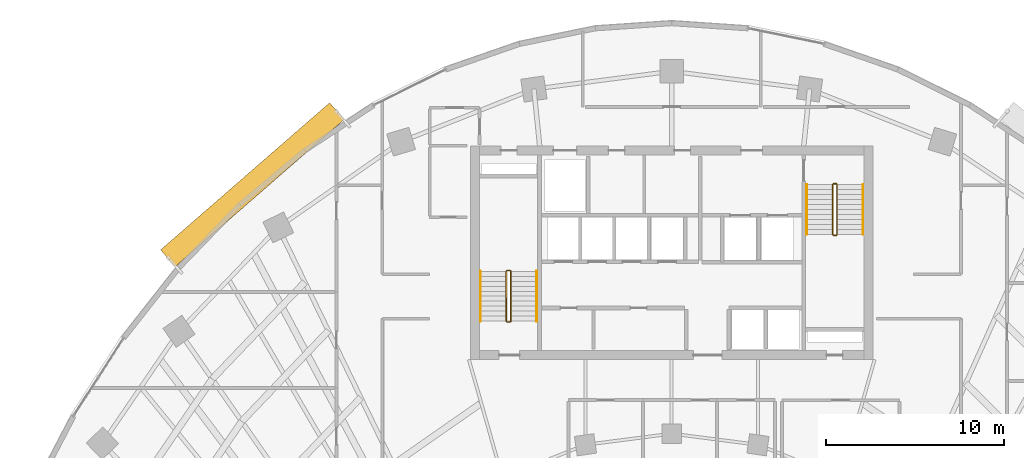
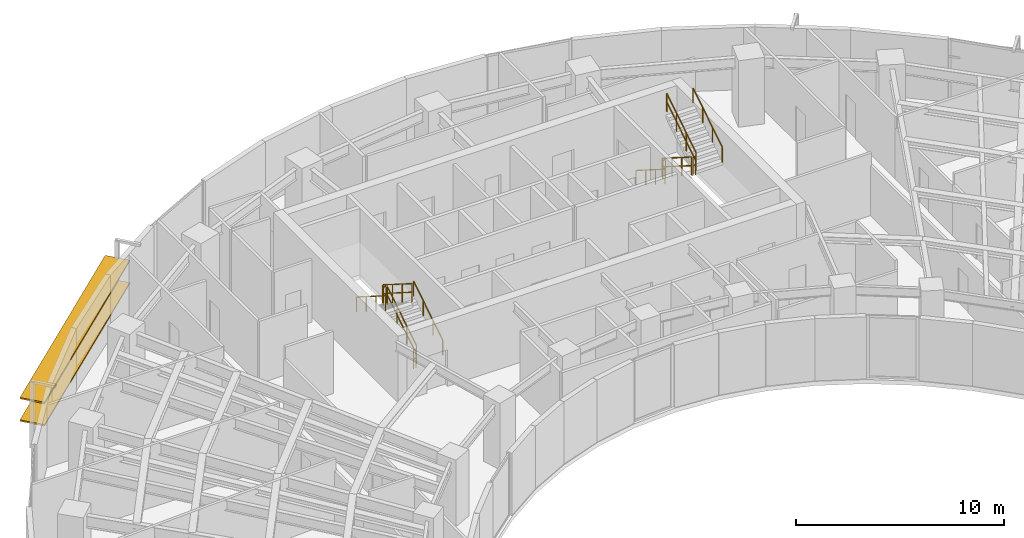
# One storey, part 13 of 14: 12 railings, 2 shading devices.
"""IFC4 building model written with IfcOpenShell, lengths in metres."""

from ifc_helpers import new_model, si_unit, direction, frame, origin, origin_2d, place, context, subcontext, project, spatial, rectangle, extrude, source, transform, mapped, material, material_profile, profile_set, type_object, element, save


model = new_model("IFC4")

# Units and contexts
model_context = context("Model", 3, precision=1e-05, world=origin(), true_north=direction((0.0, 1.0)))
body_context = subcontext(model_context, "Body", "Model", "MODEL_VIEW")
ifc_project = project(units=[si_unit("LENGTHUNIT", "METRE"), si_unit("AREAUNIT", "SQUARE_METRE"), si_unit("VOLUMEUNIT", "CUBIC_METRE"), si_unit("PLANEANGLEUNIT", "RADIAN"), si_unit("MASSUNIT", "GRAM", prefix="KILO")], contexts=[model_context])

# Site, building, storey
site_placement = place(None, origin())
site = spatial("IfcSite", under=ifc_project, at=site_placement, CompositionType="ELEMENT")
building_placement = place(site_placement, origin())
building = spatial("IfcBuilding", under=site, at=building_placement, Name="Breltana Convention Tower", CompositionType="ELEMENT")
storey_placement = place(building_placement, frame((0.0, 0.0, 103.800048828125)))
storey = spatial("IfcBuildingStorey", under=building, at=storey_placement, Name="L24", CompositionType="ELEMENT", Elevation=103.800048828125)

# Railings
ifc_material_1 = material(Name="Steel S275 Painted", Category="steel")
railing_type_1 = type_object("IfcRailingType", Name="RL-STAIR-GUARD-1100", PredefinedType="GUARDRAIL", material=ifc_material_1)
railing_1_placement = place(storey_placement, frame((38.9599609375, 62.360107421875, 0.17724609375)))
element("IfcRailing", 1, at=railing_1_placement, inside=storey, type_object=railing_type_1, Name="L24 ST-1 stair guard 1", PredefinedType="GUARDRAIL", context=body_context, shape_type="SweptSolid", body=[
    extrude(rectangle(XDim=0.048095703125, YDim=0.048095703125, at=origin_2d()), frame((0.0, 0.0, 1.076171875), z_axis=(0.0, 0.844887892834, 0.53494340686), x_axis=(-1.0, 0.0, 0.0)), (0.0, 0.0, 1.0), 3.313720703125),
    extrude(rectangle(XDim=0.048095703125, YDim=0.048095703125, at=origin_2d()), frame((0.0, 0.0, 0.572021484375), z_axis=(0.0, 0.844887892834, 0.53494340686), x_axis=(-1.0, 0.0, 0.0)), (0.0, 0.0, 1.0), 3.313720703125),
    extrude(rectangle(XDim=0.0419921875, YDim=0.0419921875, at=origin_2d()), origin(), (0.0, 0.0, 1.0), 1.052001953125),
    extrude(rectangle(XDim=0.0419921875, YDim=0.0419921875, at=origin_2d()), frame((0.0, 0.933349609375, 0.5908203125)), (0.0, 0.0, 1.0), 1.052001953125),
    extrude(rectangle(XDim=0.0419921875, YDim=0.0419921875, at=origin_2d()), frame((0.0, 1.866455078125, 1.181884765625)), (0.0, 0.0, 1.0), 1.052001953125),
    extrude(rectangle(XDim=0.0419921875, YDim=0.0419921875, at=origin_2d()), frame((0.0, 2.7998046875, 1.772705078125)), (0.0, 0.0, 1.0), 1.052001953125),
])
railing_2_placement = place(storey_placement, frame((38.909912109375, 65.2099609375, 1.949951171875)))
element("IfcRailing", 2, at=railing_2_placement, inside=storey, type_object=railing_type_1, Name="L24 ST-1 stair guard 2", PredefinedType="GUARDRAIL", context=body_context, shape_type="SweptSolid", body=[
    extrude(rectangle(XDim=0.048095703125, YDim=0.048095703125, at=origin_2d()), frame((0.0, 0.0, 1.076171875), z_axis=(-1.0, 0.0, 0.0), x_axis=(0.0, -1.0, 0.0)), (0.0, 0.0, 1.0), 0.14990234375),
    extrude(rectangle(XDim=0.048095703125, YDim=0.048095703125, at=origin_2d()), frame((0.0, 0.0, 0.572021484375), z_axis=(-1.0, 0.0, 0.0), x_axis=(0.0, -1.0, 0.0)), (0.0, 0.0, 1.0), 0.14990234375),
    extrude(rectangle(XDim=0.0419921875, YDim=0.0419921875, at=origin_2d()), origin(), (0.0, 0.0, 1.0), 1.052001953125),
    extrude(rectangle(XDim=0.0419921875, YDim=0.0419921875, at=origin_2d()), frame((-0.14990234375, 0.0, 0.0)), (0.0, 0.0, 1.0), 1.052001953125),
])
railing_3_placement = place(storey_placement, frame((38.7099609375, 65.159912109375, 2.127197265625)))
element("IfcRailing", 3, at=railing_3_placement, inside=storey, type_object=railing_type_1, Name="L24 ST-1 stair guard 3", PredefinedType="GUARDRAIL", context=body_context, shape_type="SweptSolid", body=[
    extrude(rectangle(XDim=0.048095703125, YDim=0.048095703125, at=origin_2d()), frame((0.0, 0.0, 1.076171875), z_axis=(0.0, -0.844887892834, 0.53494340686), x_axis=(1.0, 0.0, 0.0)), (0.0, 0.0, 1.0), 3.313720703125),
    extrude(rectangle(XDim=0.048095703125, YDim=0.048095703125, at=origin_2d()), frame((0.0, 0.0, 0.572021484375), z_axis=(0.0, -0.844887892834, 0.53494340686), x_axis=(1.0, 0.0, 0.0)), (0.0, 0.0, 1.0), 3.313720703125),
    extrude(rectangle(XDim=0.0419921875, YDim=0.0419921875, at=origin_2d()), origin(), (0.0, 0.0, 1.0), 1.052001953125),
    extrude(rectangle(XDim=0.0419921875, YDim=0.0419921875, at=origin_2d()), frame((0.0, -0.933349609375, 0.5908203125)), (0.0, 0.0, 1.0), 1.052001953125),
    extrude(rectangle(XDim=0.0419921875, YDim=0.0419921875, at=origin_2d()), frame((0.0, -1.866455078125, 1.181884765625)), (0.0, 0.0, 1.0), 1.052001953125),
    extrude(rectangle(XDim=0.0419921875, YDim=0.0419921875, at=origin_2d()), frame((0.0, -2.7998046875, 1.772705078125)), (0.0, 0.0, 1.0), 1.052001953125),
])
railing_4_placement = place(storey_placement, frame((38.909912109375, 62.31005859375, 0.0)))
element("IfcRailing", 4, at=railing_4_placement, inside=storey, type_object=railing_type_1, Name="L24 ST-1 stair guard 4", PredefinedType="GUARDRAIL", context=body_context, shape_type="SweptSolid", body=[
    extrude(rectangle(XDim=0.048095703125, YDim=0.048095703125, at=origin_2d()), frame((0.0, 0.0, 1.076171875), z_axis=(-1.0, 0.0, 0.0), x_axis=(0.0, -1.0, 0.0)), (0.0, 0.0, 1.0), 0.14990234375),
    extrude(rectangle(XDim=0.048095703125, YDim=0.048095703125, at=origin_2d()), frame((0.0, 0.0, 0.572021484375), z_axis=(-1.0, 0.0, 0.0), x_axis=(0.0, -1.0, 0.0)), (0.0, 0.0, 1.0), 0.14990234375),
    extrude(rectangle(XDim=0.0419921875, YDim=0.0419921875, at=origin_2d()), origin(), (0.0, 0.0, 1.0), 1.052001953125),
    extrude(rectangle(XDim=0.0419921875, YDim=0.0419921875, at=origin_2d()), frame((-0.14990234375, 0.0, 0.0)), (0.0, 0.0, 1.0), 1.052001953125),
])
railing_5_placement = place(storey_placement, frame((57.0400390625, 70.0400390625, 0.17724609375)))
element("IfcRailing", 5, at=railing_5_placement, inside=storey, type_object=railing_type_1, Name="L24 ST-2 stair guard 1", PredefinedType="GUARDRAIL", context=body_context, shape_type="SweptSolid", body=[
    extrude(rectangle(XDim=0.048095703125, YDim=0.048095703125, at=origin_2d()), frame((0.0, 0.0, 1.076171875), z_axis=(0.0, -0.844908973607, 0.534910110503), x_axis=(1.0, 0.0, 0.0)), (0.0, 0.0, 1.0), 3.31396484375),
    extrude(rectangle(XDim=0.048095703125, YDim=0.048095703125, at=origin_2d()), frame((0.0, 0.0, 0.572021484375), z_axis=(0.0, -0.844908973607, 0.534910110503), x_axis=(1.0, 0.0, 0.0)), (0.0, 0.0, 1.0), 3.31396484375),
    extrude(rectangle(XDim=0.0419921875, YDim=0.0419921875, at=origin_2d()), origin(), (0.0, 0.0, 1.0), 1.052001953125),
    extrude(rectangle(XDim=0.0419921875, YDim=0.0419921875, at=origin_2d()), frame((0.0, -0.933349609375, 0.5908203125)), (0.0, 0.0, 1.0), 1.052001953125),
    extrude(rectangle(XDim=0.0419921875, YDim=0.0419921875, at=origin_2d()), frame((0.0, -1.86669921875, 1.181884765625)), (0.0, 0.0, 1.0), 1.052001953125),
    extrude(rectangle(XDim=0.0419921875, YDim=0.0419921875, at=origin_2d()), frame((0.0, -2.800048828125, 1.772705078125)), (0.0, 0.0, 1.0), 1.052001953125),
])
railing_6_placement = place(storey_placement, frame((57.090087890625, 67.18994140625, 1.949951171875)))
element("IfcRailing", 6, at=railing_6_placement, inside=storey, type_object=railing_type_1, Name="L24 ST-2 stair guard 2", PredefinedType="GUARDRAIL", context=body_context, shape_type="SweptSolid", body=[
    extrude(rectangle(XDim=0.048095703125, YDim=0.048095703125, at=origin_2d()), frame((0.0, 0.0, 1.076171875), z_axis=(1.0, 0.0, 0.0), x_axis=(0.0, 1.0, 0.0)), (0.0, 0.0, 1.0), 0.14990234375),
    extrude(rectangle(XDim=0.048095703125, YDim=0.048095703125, at=origin_2d()), frame((0.0, 0.0, 0.572021484375), z_axis=(1.0, 0.0, 0.0), x_axis=(0.0, 1.0, 0.0)), (0.0, 0.0, 1.0), 0.14990234375),
    extrude(rectangle(XDim=0.0419921875, YDim=0.0419921875, at=origin_2d()), origin(), (0.0, 0.0, 1.0), 1.052001953125),
    extrude(rectangle(XDim=0.0419921875, YDim=0.0419921875, at=origin_2d()), frame((0.14990234375, 0.0, 0.0)), (0.0, 0.0, 1.0), 1.052001953125),
])
railing_7_placement = place(storey_placement, frame((57.2900390625, 67.239990234375, 2.127197265625)))
element("IfcRailing", 7, at=railing_7_placement, inside=storey, type_object=railing_type_1, Name="L24 ST-2 stair guard 3", PredefinedType="GUARDRAIL", context=body_context, shape_type="SweptSolid", body=[
    extrude(rectangle(XDim=0.048095703125, YDim=0.048095703125, at=origin_2d()), frame((0.0, 0.0, 1.076171875), z_axis=(0.0, 0.844908973607, 0.534910110503), x_axis=(-1.0, 0.0, 0.0)), (0.0, 0.0, 1.0), 3.31396484375),
    extrude(rectangle(XDim=0.048095703125, YDim=0.048095703125, at=origin_2d()), frame((0.0, 0.0, 0.572021484375), z_axis=(0.0, 0.844908973607, 0.534910110503), x_axis=(-1.0, 0.0, 0.0)), (0.0, 0.0, 1.0), 3.31396484375),
    extrude(rectangle(XDim=0.0419921875, YDim=0.0419921875, at=origin_2d()), origin(), (0.0, 0.0, 1.0), 1.052001953125),
    extrude(rectangle(XDim=0.0419921875, YDim=0.0419921875, at=origin_2d()), frame((0.0, 0.933349609375, 0.5908203125)), (0.0, 0.0, 1.0), 1.052001953125),
    extrude(rectangle(XDim=0.0419921875, YDim=0.0419921875, at=origin_2d()), frame((0.0, 1.86669921875, 1.181884765625)), (0.0, 0.0, 1.0), 1.052001953125),
    extrude(rectangle(XDim=0.0419921875, YDim=0.0419921875, at=origin_2d()), frame((0.0, 2.800048828125, 1.772705078125)), (0.0, 0.0, 1.0), 1.052001953125),
])
railing_8_placement = place(storey_placement, frame((57.090087890625, 70.090087890625, 0.0)))
element("IfcRailing", 8, at=railing_8_placement, inside=storey, type_object=railing_type_1, Name="L24 ST-2 stair guard 4", PredefinedType="GUARDRAIL", context=body_context, shape_type="SweptSolid", body=[
    extrude(rectangle(XDim=0.048095703125, YDim=0.048095703125, at=origin_2d()), frame((0.0, 0.0, 1.076171875), z_axis=(1.0, 0.0, 0.0), x_axis=(0.0, 1.0, 0.0)), (0.0, 0.0, 1.0), 0.14990234375),
    extrude(rectangle(XDim=0.048095703125, YDim=0.048095703125, at=origin_2d()), frame((0.0, 0.0, 0.572021484375), z_axis=(1.0, 0.0, 0.0), x_axis=(0.0, 1.0, 0.0)), (0.0, 0.0, 1.0), 0.14990234375),
    extrude(rectangle(XDim=0.0419921875, YDim=0.0419921875, at=origin_2d()), origin(), (0.0, 0.0, 1.0), 1.052001953125),
    extrude(rectangle(XDim=0.0419921875, YDim=0.0419921875, at=origin_2d()), frame((0.14990234375, 0.0, 0.0)), (0.0, 0.0, 1.0), 1.052001953125),
])
ifc_material_2 = material(Name="Stainless Steel 316L", Category="steel")
railing_type_2 = type_object("IfcRailingType", Name="RL-STAIR-HANDRAIL-900", PredefinedType="HANDRAIL", material=ifc_material_2)
railing_9_placement = place(storey_placement, frame((40.419921875, 62.360107421875, 0.17724609375)))
element("IfcRailing", 9, at=railing_9_placement, inside=storey, type_object=railing_type_2, Name="L24 ST-1 stair handrail 1", PredefinedType="HANDRAIL", context=body_context, shape_type="SweptSolid", body=[
    extrude(rectangle(XDim=0.048095703125, YDim=0.048095703125, at=origin_2d()), frame((0.0, 0.0, 0.8759765625), z_axis=(0.0, 0.844887892834, 0.53494340686), x_axis=(-1.0, 0.0, 0.0)), (0.0, 0.0, 1.0), 3.313720703125),
    extrude(rectangle(XDim=0.0419921875, YDim=0.0419921875, at=origin_2d()), origin(), (0.0, 0.0, 1.0), 0.851806640625),
    extrude(rectangle(XDim=0.0419921875, YDim=0.0419921875, at=origin_2d()), frame((0.0, 0.933349609375, 0.5908203125)), (0.0, 0.0, 1.0), 0.851806640625),
    extrude(rectangle(XDim=0.0419921875, YDim=0.0419921875, at=origin_2d()), frame((0.0, 1.866455078125, 1.181884765625)), (0.0, 0.0, 1.0), 0.851806640625),
    extrude(rectangle(XDim=0.0419921875, YDim=0.0419921875, at=origin_2d()), frame((0.0, 2.7998046875, 1.772705078125)), (0.0, 0.0, 1.0), 0.851806640625),
])
railing_10_placement = place(storey_placement, frame((37.25, 65.159912109375, 2.127197265625)))
element("IfcRailing", 10, at=railing_10_placement, inside=storey, type_object=railing_type_2, Name="L24 ST-1 stair handrail 2", PredefinedType="HANDRAIL", context=body_context, shape_type="SweptSolid", body=[
    extrude(rectangle(XDim=0.048095703125, YDim=0.048095703125, at=origin_2d()), frame((0.0, 0.0, 0.8759765625), z_axis=(0.0, -0.844887892834, 0.53494340686), x_axis=(1.0, 0.0, 0.0)), (0.0, 0.0, 1.0), 3.313720703125),
    extrude(rectangle(XDim=0.0419921875, YDim=0.0419921875, at=origin_2d()), origin(), (0.0, 0.0, 1.0), 0.851806640625),
    extrude(rectangle(XDim=0.0419921875, YDim=0.0419921875, at=origin_2d()), frame((0.0, -0.933349609375, 0.5908203125)), (0.0, 0.0, 1.0), 0.851806640625),
    extrude(rectangle(XDim=0.0419921875, YDim=0.0419921875, at=origin_2d()), frame((0.0, -1.866455078125, 1.181884765625)), (0.0, 0.0, 1.0), 0.851806640625),
    extrude(rectangle(XDim=0.0419921875, YDim=0.0419921875, at=origin_2d()), frame((0.0, -2.7998046875, 1.772705078125)), (0.0, 0.0, 1.0), 0.851806640625),
])
railing_11_placement = place(storey_placement, frame((55.580078125, 70.0400390625, 0.17724609375)))
element("IfcRailing", 11, at=railing_11_placement, inside=storey, type_object=railing_type_2, Name="L24 ST-2 stair handrail 1", PredefinedType="HANDRAIL", context=body_context, shape_type="SweptSolid", body=[
    extrude(rectangle(XDim=0.048095703125, YDim=0.048095703125, at=origin_2d()), frame((0.0, 0.0, 0.8759765625), z_axis=(0.0, -0.844908973607, 0.534910110503), x_axis=(1.0, 0.0, 0.0)), (0.0, 0.0, 1.0), 3.31396484375),
    extrude(rectangle(XDim=0.0419921875, YDim=0.0419921875, at=origin_2d()), origin(), (0.0, 0.0, 1.0), 0.851806640625),
    extrude(rectangle(XDim=0.0419921875, YDim=0.0419921875, at=origin_2d()), frame((0.0, -0.933349609375, 0.5908203125)), (0.0, 0.0, 1.0), 0.851806640625),
    extrude(rectangle(XDim=0.0419921875, YDim=0.0419921875, at=origin_2d()), frame((0.0, -1.86669921875, 1.181884765625)), (0.0, 0.0, 1.0), 0.851806640625),
    extrude(rectangle(XDim=0.0419921875, YDim=0.0419921875, at=origin_2d()), frame((0.0, -2.800048828125, 1.772705078125)), (0.0, 0.0, 1.0), 0.851806640625),
])
railing_12_placement = place(storey_placement, frame((58.75, 67.239990234375, 2.127197265625)))
element("IfcRailing", 12, at=railing_12_placement, inside=storey, type_object=railing_type_2, Name="L24 ST-2 stair handrail 2", PredefinedType="HANDRAIL", context=body_context, shape_type="SweptSolid", body=[
    extrude(rectangle(XDim=0.048095703125, YDim=0.048095703125, at=origin_2d()), frame((0.0, 0.0, 0.8759765625), z_axis=(0.0, 0.844908973607, 0.534910110503), x_axis=(-1.0, 0.0, 0.0)), (0.0, 0.0, 1.0), 3.31396484375),
    extrude(rectangle(XDim=0.0419921875, YDim=0.0419921875, at=origin_2d()), origin(), (0.0, 0.0, 1.0), 0.851806640625),
    extrude(rectangle(XDim=0.0419921875, YDim=0.0419921875, at=origin_2d()), frame((0.0, 0.933349609375, 0.5908203125)), (0.0, 0.0, 1.0), 0.851806640625),
    extrude(rectangle(XDim=0.0419921875, YDim=0.0419921875, at=origin_2d()), frame((0.0, 1.86669921875, 1.181884765625)), (0.0, 0.0, 1.0), 0.851806640625),
    extrude(rectangle(XDim=0.0419921875, YDim=0.0419921875, at=origin_2d()), frame((0.0, 2.800048828125, 1.772705078125)), (0.0, 0.0, 1.0), 0.851806640625),
])

# Shading devices
ifc_material_3 = material(Name="Limestone Warm Buff Honed", Category="masonry")
ifc_material_profile = material_profile(ifc_material_3, rectangle(XDim=1.25, YDim=0.090087890625, at=origin_2d()), Name="STN-LVR-1250X90")
ifc_profile_set = profile_set([ifc_material_profile], Name="Limestone Warm Buff Honed")
shading_device_type = type_object("IfcShadingDeviceType", Name="SHD-OUTER-SKIN-LIMESTONE-1250", PredefinedType="JALOUSIE", material=ifc_profile_set)
shared_shape = source(origin(), body_context, "Body", "SweptSolid", [
    extrude(rectangle(XDim=1.25, YDim=0.090087890625, at=origin_2d()), origin(), (0.0, 0.0, 1.0), 12.59423828125),
])
for number, where, z_axis, x_axis, name in (
    (13, (19.6826171875, 65.894775390625, 1.31396484375), (0.754366759368, 0.656453191295, 0.0), (-0.656453191295, 0.754366759368, 0.0), "L24 outer skin warm limestone louvre 1.1"),
    (14, (19.6826171875, 65.894775390625, 2.6279296875), (0.754366759368, 0.656453191295, 0.0), (-0.656453191295, 0.754366759368, 0.0), "L24 outer skin warm limestone louvre 1.2"),
):
    element("IfcShadingDevice", number, at=place(storey_placement, frame(where, z_axis=z_axis, x_axis=x_axis)), inside=storey, type_object=shading_device_type, Name=name, PredefinedType="JALOUSIE", context=body_context, shape_type="MappedRepresentation", body=[
        mapped(shared_shape, transform((0.0, 0.0, 0.0), scale=1.0)),
    ])

save(model, "model.ifc")
